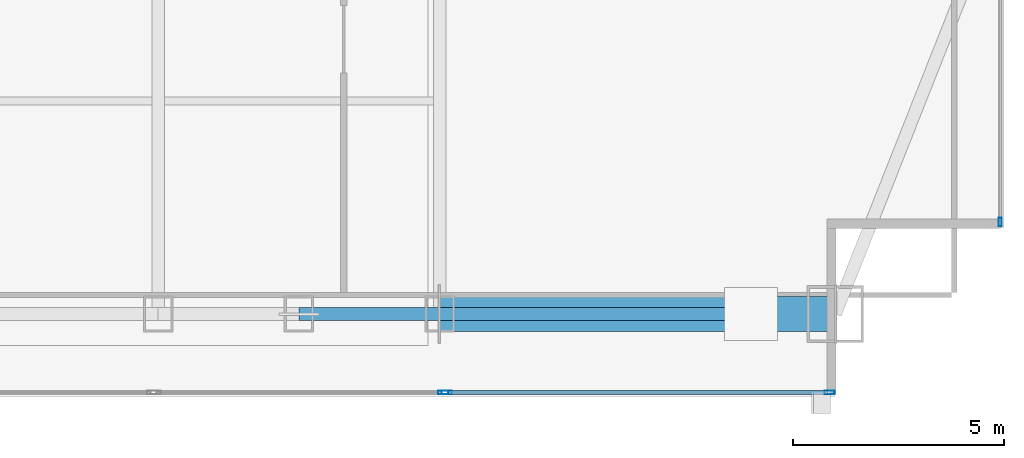
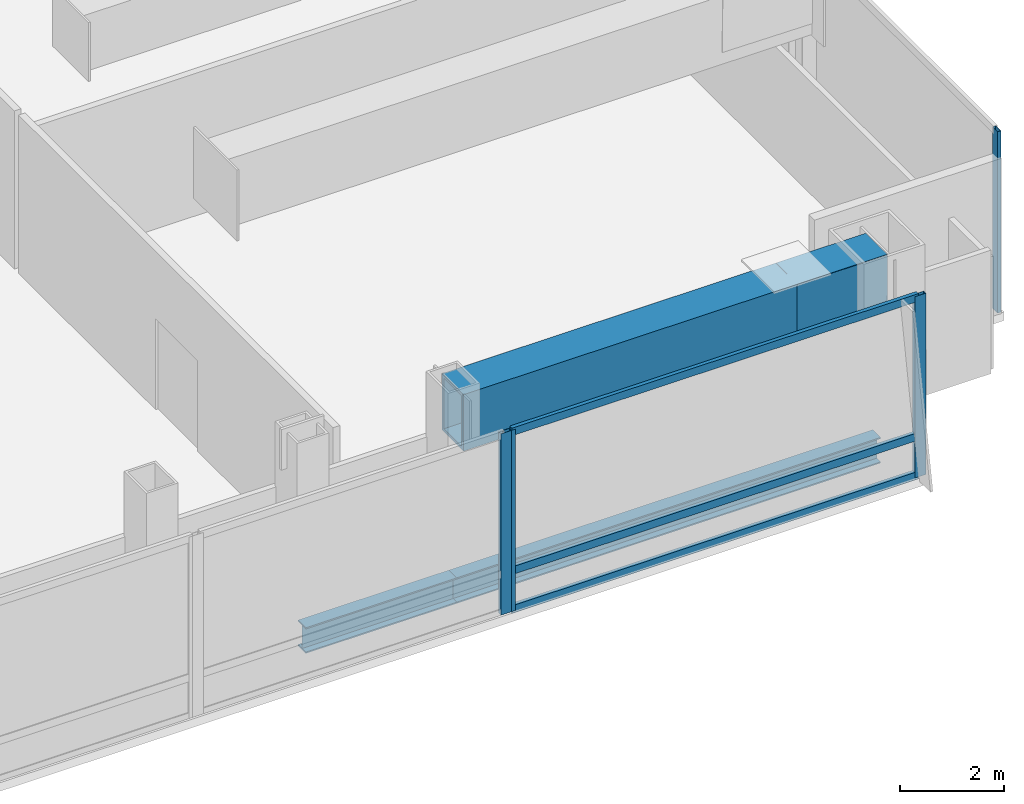
# One storey, part 13 of 25: 7 members, 4 beams, 3 elements without a shape of their own.
"""IFC4 building model written with IfcOpenShell, lengths in metres."""

from ifc_helpers import new_model, si_unit, direction, frame, origin, origin_2d, place, context, subcontext, project, spatial, hollow_rectangle, i_section, extrude, material, material_profile, profile_set, type_object, element, aggregate, save


model = new_model("IFC4")

# Units and contexts
model_context = context("Model", 3, precision=1e-05, world=origin(), true_north=direction((0.0, 1.0)))
body_context = subcontext(model_context, "Body", "Model", "MODEL_VIEW")
ifc_project = project(units=[si_unit("LENGTHUNIT", "METRE"), si_unit("AREAUNIT", "SQUARE_METRE"), si_unit("VOLUMEUNIT", "CUBIC_METRE"), si_unit("PLANEANGLEUNIT", "RADIAN"), si_unit("MASSUNIT", "GRAM", prefix="KILO")], contexts=[model_context])

# Site, building, storey
site_placement = place(None, origin())
site = spatial("IfcSite", under=ifc_project, at=site_placement, CompositionType="ELEMENT")
building_placement = place(site_placement, origin())
building = spatial("IfcBuilding", under=site, at=building_placement, Name="Khoronbel Lancet Exchange", CompositionType="ELEMENT")
storey_placement = place(building_placement, frame((0.0, 0.0, 184.199951171875)))
storey = spatial("IfcBuildingStorey", under=building, at=storey_placement, Name="L46", CompositionType="ELEMENT", Elevation=184.199951171875)

# Beams
ifc_material_1 = material(Name="Steel S355", Category="steel")
ifc_material_profile_1 = material_profile(ifc_material_1, i_section(OverallWidth=0.300048828125, OverallDepth=0.60009765625, WebThickness=0.015380859375, FlangeThickness=0.030029296875, at=origin_2d()), Name="HEB 600")
ifc_profile_set_1 = profile_set([ifc_material_profile_1], Name="Steel S355")
beam_type_1 = type_object("IfcBeamType", Name="BM-BSP2", PredefinedType="SPANDREL", material=ifc_profile_set_1)
beam_1_placement = place(storey_placement, frame((51.33740234375, 10.14990234375, -0.5), z_axis=(1.0, 0.0, 0.0), x_axis=(0.0, 1.0, 0.0)))
element("IfcBeam", 1, at=beam_1_placement, inside=storey, type_object=beam_type_1, Name="Level L46 perimeter spandrel beam SP08", PredefinedType="SPANDREL", context=body_context, shape_type="SweptSolid", body=[
    extrude(i_section(OverallWidth=0.300048828125, OverallDepth=0.60009765625, WebThickness=0.015380859375, FlangeThickness=0.030029296875, at=origin_2d()), origin(), (0.0, 0.0, 1.0), 3.337646484375),
])
beam_2_placement = place(storey_placement, frame((54.675048828125, 10.14990234375, -0.5), z_axis=(1.0, 0.0, 0.0), x_axis=(0.0, 1.0, 0.0)))
element("IfcBeam", 2, at=beam_2_placement, inside=storey, type_object=beam_type_1, Name="Level L46 perimeter spandrel beam SP09", PredefinedType="SPANDREL", context=body_context, shape_type="SweptSolid", body=[
    extrude(i_section(OverallWidth=0.300048828125, OverallDepth=0.60009765625, WebThickness=0.015380859375, FlangeThickness=0.030029296875, at=origin_2d()), origin(), (0.0, 0.0, 1.0), 9.375),
])
ifc_material_2 = material(Name="Steel S460", Category="steel")
ifc_material_profile_2 = material_profile(ifc_material_2, hollow_rectangle(XDim=0.820068359375, YDim=1.320068359375, WallThickness=0.070068359375, at=origin_2d()), Name="BOX 820x1320x70")
ifc_profile_set_2 = profile_set([ifc_material_profile_2], Name="Steel S460")
beam_type_2 = type_object("IfcBeamType", Name="BM-TG4", PredefinedType="USERDEFINED", material=ifc_profile_set_2)
beam_3_placement = place(storey_placement, frame((64.050048828125, 10.14990234375, 3.56005859375), z_axis=(-0.99994990606, 0.0, 0.010009264196), x_axis=(0.0, -1.0, 0.0)))
element("IfcBeam", 3, at=beam_3_placement, inside=storey, type_object=beam_type_2, Name="Setback transfer knee-brace girder L46-MC-SE", ObjectType="TRANSFER GIRDER", PredefinedType="USERDEFINED", context=body_context, shape_type="SweptSolid", body=[
    extrude(hollow_rectangle(XDim=0.820068359375, YDim=1.320068359375, WallThickness=0.070068359375, at=origin_2d()), origin(), (0.0, 0.0, 1.0), 2.0),
])
beam_4_placement = place(storey_placement, frame((54.675048828125, 10.14990234375, 3.580078125), z_axis=(1.0, 0.0, 0.0), x_axis=(0.0, 1.0, 0.0)))
element("IfcBeam", 4, at=beam_4_placement, inside=storey, type_object=beam_type_2, Name="Corner mega-column setback transfer girder L46-SE", ObjectType="TRANSFER GIRDER", PredefinedType="USERDEFINED", context=body_context, shape_type="SweptSolid", body=[
    extrude(hollow_rectangle(XDim=0.820068359375, YDim=1.320068359375, WallThickness=0.070068359375, at=origin_2d()), origin(), (0.0, 0.0, 1.0), 9.375),
])

# Curtain wall, member
ifc_material_3 = material(Name="Low-E Solar Control Insulating Glass", Category="glass")
curtain_wall_type_1 = type_object("IfcCurtainWallType", Name="CW-3", PredefinedType="NOTDEFINED", material=ifc_material_3)
curtain_wall_1_placement = place(storey_placement, origin())
curtain_wall_1 = element("IfcCurtainWall", 5, at=curtain_wall_1_placement, inside=storey, type_object=curtain_wall_type_1, Name="Unitised curtain wall CW-L46-SEB", PredefinedType="NOTDEFINED")
ifc_material_4 = material(Name="Bronze-Anodised Aluminium 6063-T6", Category="aluminium")
ifc_material_profile_3 = material_profile(ifc_material_4, hollow_rectangle(XDim=0.0849609375, YDim=0.239990234375, WallThickness=0.006103515625, at=origin_2d()), Name="ALU MULLION 85x240")
ifc_profile_set_3 = profile_set([ifc_material_profile_3], Name="Bronze-Anodised Aluminium 6063-T6")
member_type_1 = type_object("IfcMemberType", Name="MEM-CWM1", PredefinedType="MULLION", material=ifc_profile_set_3)
member_1_placement = place(storey_placement, frame((54.757568359375, 8.2900390625, 0.0), z_axis=(0.0, 0.0, 1.0), x_axis=(0.0, 1.0, 0.0)))
member_1 = element("IfcMember", 6, at=member_1_placement, type_object=member_type_1, Name="CW3 mullion 2", PredefinedType="MULLION", context=body_context, shape_type="SweptSolid", body=[
    extrude(hollow_rectangle(XDim=0.0849609375, YDim=0.239990234375, WallThickness=0.006103515625, at=origin_2d()), origin(), (0.0, 0.0, 1.0), 4.239990234375),
])
aggregate(curtain_wall_1, [member_1])

# Curtain wall, members
curtain_wall_2_placement = place(storey_placement, origin())
curtain_wall_2 = element("IfcCurtainWall", 7, at=curtain_wall_2_placement, inside=storey, type_object=curtain_wall_type_1, Name="Unitised curtain wall CW-L46-SEV", PredefinedType="NOTDEFINED")
member_2_placement = place(storey_placement, frame((54.842529296875, 8.2900390625, 0.0), z_axis=(0.0, 0.0, 1.0), x_axis=(0.0, 1.0, 0.0)))
member_2 = element("IfcMember", 8, at=member_2_placement, type_object=member_type_1, Name="CW3 mullion 1", PredefinedType="MULLION", context=body_context, shape_type="SweptSolid", body=[
    extrude(hollow_rectangle(XDim=0.0849609375, YDim=0.239990234375, WallThickness=0.006103515625, at=origin_2d()), origin(), (0.0, 0.0, 1.0), 4.239990234375),
])
member_3_placement = place(storey_placement, frame((63.91748046875, 8.2900390625, 0.0), z_axis=(0.0, 0.0, 1.0), x_axis=(0.0, 1.0, 0.0)))
member_3 = element("IfcMember", 9, at=member_3_placement, type_object=member_type_1, Name="CW3 mullion 2", PredefinedType="MULLION", context=body_context, shape_type="SweptSolid", body=[
    extrude(hollow_rectangle(XDim=0.0849609375, YDim=0.239990234375, WallThickness=0.006103515625, at=origin_2d()), origin(), (0.0, 0.0, 1.0), 4.239990234375),
])

# Curtain wall, member
curtain_wall_type_2 = type_object("IfcCurtainWallType", Name="CW-4", PredefinedType="NOTDEFINED", material=ifc_material_3)
curtain_wall_3_placement = place(storey_placement, origin())
curtain_wall_3 = element("IfcCurtainWall", 10, at=curtain_wall_3_placement, inside=storey, type_object=curtain_wall_type_2, Name="Unitised curtain wall CW-L46-E09", PredefinedType="NOTDEFINED")
ifc_material_profile_4 = material_profile(ifc_material_4, hollow_rectangle(XDim=0.074951171875, YDim=0.199951171875, WallThickness=0.0048828125, at=origin_2d()), Name="ALU MULLION 75x200")
ifc_profile_set_4 = profile_set([ifc_material_profile_4], Name="Bronze-Anodised Aluminium 6063-T6")
member_type_2 = type_object("IfcMemberType", Name="MEM-CWM2", PredefinedType="MULLION", material=ifc_profile_set_4)
member_4_placement = place(storey_placement, frame((67.9599609375, 12.327392578125, 0.0), z_axis=(0.0, 0.0, 1.0), x_axis=(1.0, 0.0, 0.0)))
member_4 = element("IfcMember", 11, at=member_4_placement, type_object=member_type_2, Name="CW4 mullion 3", PredefinedType="MULLION", context=body_context, shape_type="SweptSolid", body=[
    extrude(hollow_rectangle(XDim=0.074951171875, YDim=0.199951171875, WallThickness=0.0048828125, at=origin_2d()), origin(), (0.0, 0.0, 1.0), 4.239990234375),
])
aggregate(curtain_wall_3, [member_4])

# Member
ifc_material_profile_5 = material_profile(ifc_material_4, hollow_rectangle(XDim=0.0849609375, YDim=0.179931640625, WallThickness=0.0048828125, at=origin_2d()), Name="ALU TRANSOM 85x180")
ifc_profile_set_5 = profile_set([ifc_material_profile_5], Name="Bronze-Anodised Aluminium 6063-T6")
member_type_3 = type_object("IfcMemberType", Name="MEM-CWT1", PredefinedType="USERDEFINED", material=ifc_profile_set_5)
member_5_placement = place(storey_placement, frame((54.885009765625, 8.2900390625, 0.04248046875), z_axis=(1.0, 0.0, 0.0), x_axis=(0.0, 1.0, 0.0)))
member_5 = element("IfcMember", 12, at=member_5_placement, type_object=member_type_3, Name="CW3 transom 1.1", ObjectType="TRANSOM", PredefinedType="USERDEFINED", context=body_context, shape_type="SweptSolid", body=[
    extrude(hollow_rectangle(XDim=0.0849609375, YDim=0.179931640625, WallThickness=0.0048828125, at=origin_2d()), origin(), (0.0, 0.0, 1.0), 8.989990234375),
])

member_6_placement = place(storey_placement, frame((54.885009765625, 8.2900390625, 0.949951171875), z_axis=(1.0, 0.0, 0.0), x_axis=(0.0, 1.0, 0.0)))
member_6 = element("IfcMember", 13, at=member_6_placement, type_object=member_type_3, Name="CW3 transom 1.2", ObjectType="TRANSOM", PredefinedType="USERDEFINED", context=body_context, shape_type="SweptSolid", body=[
    extrude(hollow_rectangle(XDim=0.0849609375, YDim=0.179931640625, WallThickness=0.0048828125, at=origin_2d()), origin(), (0.0, 0.0, 1.0), 8.989990234375),
])

member_7_placement = place(storey_placement, frame((54.885009765625, 8.2900390625, 4.197509765625), z_axis=(1.0, 0.0, 0.0), x_axis=(0.0, 1.0, 0.0)))
member_7 = element("IfcMember", 14, at=member_7_placement, type_object=member_type_3, Name="CW3 transom 1.3", ObjectType="TRANSOM", PredefinedType="USERDEFINED", context=body_context, shape_type="SweptSolid", body=[
    extrude(hollow_rectangle(XDim=0.0849609375, YDim=0.179931640625, WallThickness=0.0048828125, at=origin_2d()), origin(), (0.0, 0.0, 1.0), 8.989990234375),
])

aggregate(curtain_wall_2, [member_2, member_3, member_5, member_6, member_7])

save(model, "model.ifc")
